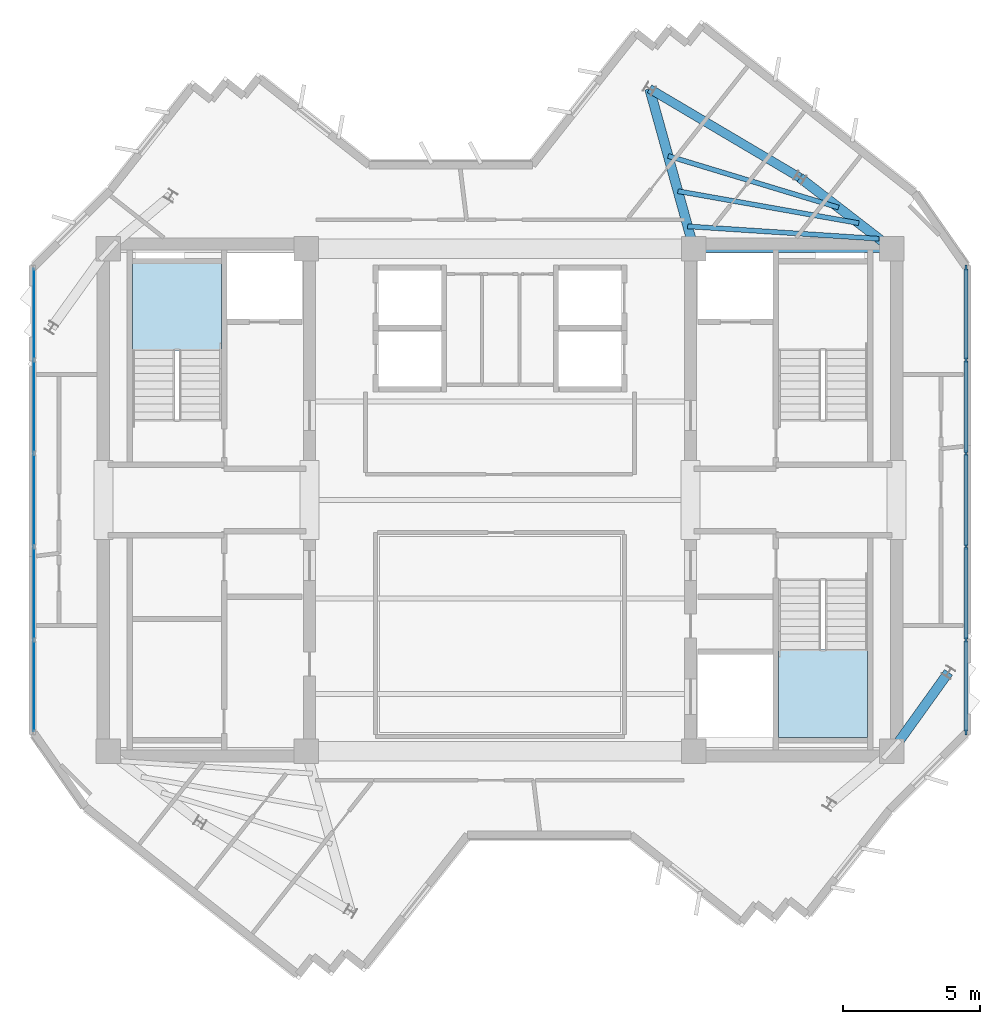
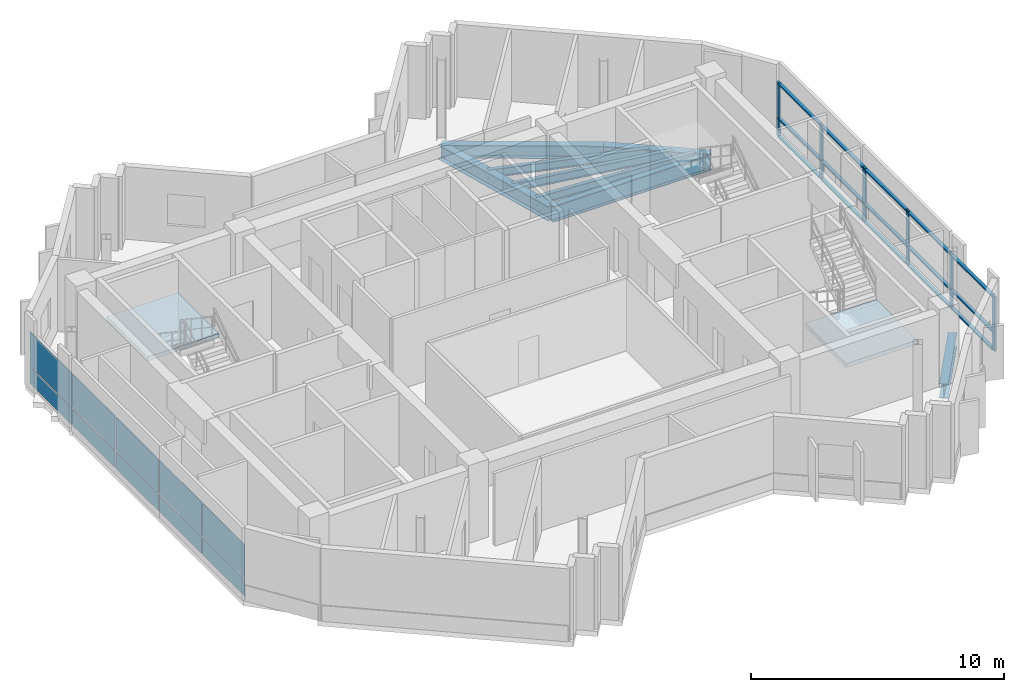
# One storey, part 3 of 10: 21 members, 10 plates, 8 beams, 2 slabs, 4 elements without a shape of their own.
"""IFC4 building model written with IfcOpenShell, lengths in metres."""

from ifc_helpers import new_model, si_unit, direction, frame, origin, origin_2d, place, context, subcontext, project, spatial, polyline, rectangle, i_section, outline, extrude, source, transform, mapped, material, layer, layer_set, material_profile, profile_set, type_object, element, aggregate, save


model = new_model("IFC4")

# Units and contexts
model_context = context("Model", 3, precision=1e-05, world=origin(), true_north=direction((0.0, 1.0)))
body_context = subcontext(model_context, "Body", "Model", "MODEL_VIEW")
ifc_project = project(units=[si_unit("LENGTHUNIT", "METRE"), si_unit("AREAUNIT", "SQUARE_METRE"), si_unit("VOLUMEUNIT", "CUBIC_METRE"), si_unit("PLANEANGLEUNIT", "RADIAN"), si_unit("MASSUNIT", "GRAM", prefix="KILO")], contexts=[model_context])

# Site, building, storey
site_placement = place(None, origin())
site = spatial("IfcSite", under=ifc_project, at=site_placement, CompositionType="ELEMENT")
building_placement = place(site_placement, origin())
building = spatial("IfcBuilding", under=site, at=building_placement, Name="Zahravan Cultural Tower", CompositionType="ELEMENT")
storey_placement = place(building_placement, frame((0.0, 0.0, 327.300048828125)))
storey = spatial("IfcBuildingStorey", under=building, at=storey_placement, Name="L79", CompositionType="ELEMENT", Elevation=327.300048828125)

# Beams
ifc_material_1 = material(Name="Steel ASTM A992 Grade 50", Category="steel")
ifc_material_profile_1 = material_profile(ifc_material_1, i_section(OverallWidth=0.26611328125, OverallDepth=0.780029296875, WebThickness=0.0166015625, FlangeThickness=0.030029296875, FilletRadius=0.01904296875, at=origin_2d()), Name="W30X148")
ifc_profile_set_1 = profile_set([ifc_material_profile_1], Name="Steel ASTM A992 Grade 50")
beam_type_1 = type_object("IfcBeamType", Name="BM-G-W30X148", PredefinedType="BEAM", material=ifc_profile_set_1)
shared_shape_1 = source(origin(), body_context, "Body", "SweptSolid", [
    extrude(i_section(OverallWidth=0.26611328125, OverallDepth=0.780029296875, WebThickness=0.0166015625, FlangeThickness=0.030029296875, FilletRadius=0.01904296875, at=origin_2d()), origin(), (0.0, 0.0, 1.0), 7.25),
])
beam_1_placement = place(storey_placement, frame((43.10009765625, 36.199951171875, -0.64013671875), z_axis=(1.0, 0.0, 0.0), x_axis=(0.0, 1.0, 0.0)))
element("IfcBeam", 1, at=beam_1_placement, inside=storey, type_object=beam_type_1, Name="L79 Beam BG-L79-05", PredefinedType="BEAM", context=body_context, shape_type="MappedRepresentation", body=[
    mapped(shared_shape_1, transform((0.0, 0.0, 0.0), x_axis=(1.0, 0.0, 0.0), y_axis=(0.0, 1.0, 0.0), z_axis=(0.0, 0.0, 1.0), scale=1.0)),
])
ifc_material_profile_2 = material_profile(ifc_material_1, i_section(OverallWidth=0.35498046875, OverallDepth=0.696044921875, WebThickness=0.015380859375, FlangeThickness=0.025146484375, FilletRadius=0.01806640625, at=origin_2d()), Name="W27X146")
ifc_profile_set_2 = profile_set([ifc_material_profile_2], Name="Steel ASTM A992 Grade 50")
beam_type_2 = type_object("IfcBeamType", Name="BM-G-W27X146", PredefinedType="BEAM", material=ifc_profile_set_2)
shared_shape_2 = source(origin(), body_context, "Body", "SweptSolid", [
    extrude(i_section(OverallWidth=0.35498046875, OverallDepth=0.696044921875, WebThickness=0.015380859375, FlangeThickness=0.025146484375, FilletRadius=0.01806640625, at=origin_2d()), origin(), (0.0, 0.0, 1.0), 4.25341796875),
])
beam_2_placement = place(storey_placement, frame((50.35009765625, 36.199951171875, -0.59814453125), z_axis=(-0.791433936253, 0.611254713313, 0.0), x_axis=(-0.611254713313, -0.791433936253, 0.0)))
element("IfcBeam", 2, at=beam_2_placement, inside=storey, type_object=beam_type_2, Name="L79 Beam BG-L79-11", PredefinedType="BEAM", context=body_context, shape_type="MappedRepresentation", body=[
    mapped(shared_shape_2, transform((0.0, 0.0, 0.0), x_axis=(1.0, 0.0, 0.0), y_axis=(0.0, 1.0, 0.0), z_axis=(0.0, 0.0, 1.0), scale=1.0)),
])
shared_shape_3 = source(origin(), body_context, "Body", "SweptSolid", [
    extrude(i_section(OverallWidth=0.35498046875, OverallDepth=0.696044921875, WebThickness=0.015380859375, FlangeThickness=0.025146484375, FilletRadius=0.01806640625, at=origin_2d()), origin(), (0.0, 0.0, 1.0), 6.07958984375),
])
beam_3_placement = place(storey_placement, frame((43.10009765625, 36.199951171875, -0.59814453125), z_axis=(-0.267324894686, 0.963606455292, 0.0), x_axis=(-0.963606455292, -0.267324894686, 0.0)))
element("IfcBeam", 3, at=beam_3_placement, inside=storey, type_object=beam_type_2, Name="L79 Beam BG-L79-12", PredefinedType="BEAM", context=body_context, shape_type="MappedRepresentation", body=[
    mapped(shared_shape_3, transform((0.0, 0.0, 0.0), x_axis=(1.0, 0.0, 0.0), y_axis=(0.0, 1.0, 0.0), z_axis=(0.0, 0.0, 1.0), scale=1.0)),
])
shared_shape_4 = source(origin(), body_context, "Body", "SweptSolid", [
    extrude(i_section(OverallWidth=0.35498046875, OverallDepth=0.696044921875, WebThickness=0.015380859375, FlangeThickness=0.025146484375, FilletRadius=0.01806640625, at=origin_2d()), origin(), (0.0, 0.0, 1.0), 3.5556640625),
])
beam_4_placement = place(storey_placement, frame((50.35009765625, 17.800048828125, -0.59814453125), z_axis=(0.58288028137, 0.812558045674, 0.0), x_axis=(-0.812558045674, 0.58288028137, 0.0)))
element("IfcBeam", 4, at=beam_4_placement, inside=storey, type_object=beam_type_2, Name="L79 Beam BG-L79-10", PredefinedType="BEAM", context=body_context, shape_type="MappedRepresentation", body=[
    mapped(shared_shape_4, transform((0.0, 0.0, 0.0), x_axis=(1.0, 0.0, 0.0), y_axis=(0.0, 1.0, 0.0), z_axis=(0.0, 0.0, 1.0), scale=1.0)),
])
ifc_material_profile_3 = material_profile(ifc_material_1, i_section(OverallWidth=0.326904296875, OverallDepth=0.6220703125, WebThickness=0.015380859375, FlangeThickness=0.0244140625, FilletRadius=0.014892578125, at=origin_2d()), Name="W24X131")
ifc_profile_set_3 = profile_set([ifc_material_profile_3], Name="Steel ASTM A992 Grade 50")
beam_type_3 = type_object("IfcBeamType", Name="BM-SP-W24X131", PredefinedType="SPANDREL", material=ifc_profile_set_3)
shared_shape_5 = source(origin(), body_context, "Body", "SweptSolid", [
    extrude(i_section(OverallWidth=0.326904296875, OverallDepth=0.6220703125, WebThickness=0.015380859375, FlangeThickness=0.0244140625, FilletRadius=0.014892578125, at=origin_2d()), origin(), (0.0, 0.0, 1.0), 6.400634765625),
])
beam_5_placement = place(storey_placement, frame((46.98388671875, 38.7998046875, -0.56103515625), z_axis=(-0.860706991833, 0.509100652337, 0.0), x_axis=(-0.509100652337, -0.860706991833, 0.0)))
element("IfcBeam", 5, at=beam_5_placement, inside=storey, type_object=beam_type_3, Name="L79 Beam SP-L79-17", PredefinedType="SPANDREL", context=body_context, shape_type="MappedRepresentation", body=[
    mapped(shared_shape_5, transform((0.0, 0.0, 0.0), x_axis=(1.0, 0.0, 0.0), y_axis=(0.0, 1.0, 0.0), z_axis=(0.0, 0.0, 1.0), scale=1.0)),
])
ifc_material_profile_4 = material_profile(ifc_material_1, i_section(OverallWidth=0.177978515625, OverallDepth=0.406005859375, WebThickness=0.0078125, FlangeThickness=0.0126953125, FilletRadius=0.011962890625, at=origin_2d()), Name="W16X40")
ifc_profile_set_4 = profile_set([ifc_material_profile_4], Name="Steel ASTM A992 Grade 50")
beam_type_4 = type_object("IfcBeamType", Name="BM-J-W16X40", PredefinedType="JOIST", material=ifc_profile_set_4)
shared_shape_6 = source(origin(), body_context, "Body", "SweptSolid", [
    extrude(i_section(OverallWidth=0.177978515625, OverallDepth=0.406005859375, WebThickness=0.0078125, FlangeThickness=0.0126953125, FilletRadius=0.011962890625, at=origin_2d()), origin(), (0.0, 0.0, 1.0), 7.02099609375),
])
beam_6_placement = place(storey_placement, frame((49.878662109375, 36.56396484375, -0.453125), z_axis=(-0.99788584579, 0.064991066863, 0.0), x_axis=(-0.064991066863, -0.99788584579, 0.0)))
element("IfcBeam", 6, at=beam_6_placement, inside=storey, type_object=beam_type_4, Name="L79 Beam BJ-L79-40", PredefinedType="JOIST", context=body_context, shape_type="MappedRepresentation", body=[
    mapped(shared_shape_6, transform((0.0, 0.0, 0.0), x_axis=(1.0, 0.0, 0.0), y_axis=(0.0, 1.0, 0.0), z_axis=(0.0, 0.0, 1.0), scale=1.0)),
])
shared_shape_7 = source(origin(), body_context, "Body", "SweptSolid", [
    extrude(i_section(OverallWidth=0.177978515625, OverallDepth=0.406005859375, WebThickness=0.0078125, FlangeThickness=0.0126953125, FilletRadius=0.011962890625, at=origin_2d()), origin(), (0.0, 0.0, 1.0), 6.726318359375),
])
beam_7_placement = place(storey_placement, frame((49.13818359375, 37.135986328125, -0.453125), z_axis=(-0.98467447748, 0.17440233198, 0.0), x_axis=(-0.17440233198, -0.98467447748, 0.0)))
element("IfcBeam", 7, at=beam_7_placement, inside=storey, type_object=beam_type_4, Name="L79 Beam BJ-L79-42", PredefinedType="JOIST", context=body_context, shape_type="MappedRepresentation", body=[
    mapped(shared_shape_7, transform((0.0, 0.0, 0.0), x_axis=(1.0, 0.0, 0.0), y_axis=(0.0, 1.0, 0.0), z_axis=(0.0, 0.0, 1.0), scale=1.0)),
])
shared_shape_8 = source(origin(), body_context, "Body", "SweptSolid", [
    extrude(i_section(OverallWidth=0.177978515625, OverallDepth=0.406005859375, WebThickness=0.0078125, FlangeThickness=0.0126953125, FilletRadius=0.011962890625, at=origin_2d()), origin(), (0.0, 0.0, 1.0), 6.520263671875),
])
beam_8_placement = place(storey_placement, frame((48.397705078125, 37.707763671875, -0.453125), z_axis=(-0.957060297679, 0.289888921151, 0.0), x_axis=(-0.289888921151, -0.957060297679, 0.0)))
element("IfcBeam", 8, at=beam_8_placement, inside=storey, type_object=beam_type_4, Name="L79 Beam BJ-L79-44", PredefinedType="JOIST", context=body_context, shape_type="MappedRepresentation", body=[
    mapped(shared_shape_8, transform((0.0, 0.0, 0.0), x_axis=(1.0, 0.0, 0.0), y_axis=(0.0, 1.0, 0.0), z_axis=(0.0, 0.0, 1.0), scale=1.0)),
])

# Curtain wall, members
ifc_material_2 = material(Name="Anodised bronze-aluminium mullion", Category="aluminium")
ifc_layer_1 = layer(ifc_material_2, 0.199951171875)
ifc_layer_set_1 = layer_set([ifc_layer_1], Name="Anodised bronze-aluminium mullion")
curtain_wall_type_1 = type_object("IfcCurtainWallType", Name="CW-SYS-2", PredefinedType="USERDEFINED", material=ifc_layer_set_1)
curtain_wall_1_placement = place(storey_placement, origin())
curtain_wall_1 = element("IfcCurtainWall", 9, at=curtain_wall_1_placement, inside=storey, type_object=curtain_wall_type_1, Name="L79 Recessed Curtain Wall CW-2.1", ObjectType="RECESSED GLAZING", PredefinedType="USERDEFINED")
ifc_material_profile_5 = material_profile(ifc_material_2, rectangle(XDim=0.074951171875, YDim=0.199951171875, at=origin_2d()), Name="AL-M75X200")
ifc_profile_set_5 = profile_set([ifc_material_profile_5], Name="Anodised bronze-aluminium mullion")
member_type_1 = type_object("IfcMemberType", Name="CWM-CW-2", PredefinedType="MULLION", material=ifc_profile_set_5)
shared_shape_9 = source(origin(), body_context, "Body", "SweptSolid", [
    extrude(rectangle(XDim=0.074951171875, YDim=0.199951171875, at=origin_2d()), origin(), (0.0, 0.0, 1.0), 2.619873046875),
])
member_1_placement = place(storey_placement, frame((53.06005859375, 35.50439453125, 0.0), z_axis=(0.0, 0.0, 1.0), x_axis=(1.0, 0.0, 0.0)))
member_1 = element("IfcMember", 10, at=member_1_placement, type_object=member_type_1, Name="CW-2 mullion 1", PredefinedType="MULLION", context=body_context, shape_type="MappedRepresentation", body=[
    mapped(shared_shape_9, transform((0.0, 0.0, 0.0), x_axis=(1.0, 0.0, 0.0), y_axis=(0.0, 1.0, 0.0), z_axis=(0.0, 0.0, 1.0), scale=1.0)),
])
member_2_placement = place(storey_placement, frame((53.06005859375, 32.125244140625, 0.0), z_axis=(0.0, 0.0, 1.0), x_axis=(1.0, 0.0, 0.0)))
member_2 = element("IfcMember", 11, at=member_2_placement, type_object=member_type_1, Name="CW-2 mullion 2", PredefinedType="MULLION", context=body_context, shape_type="MappedRepresentation", body=[
    mapped(shared_shape_9, transform((0.0, 0.0, 0.0), x_axis=(1.0, 0.0, 0.0), y_axis=(0.0, 1.0, 0.0), z_axis=(0.0, 0.0, 1.0), scale=1.0)),
])
member_3_placement = place(storey_placement, frame((53.06005859375, 28.70849609375, 0.0), z_axis=(0.0, 0.0, 1.0), x_axis=(1.0, 0.0, 0.0)))
member_3 = element("IfcMember", 12, at=member_3_placement, type_object=member_type_1, Name="CW-2 mullion 3", PredefinedType="MULLION", context=body_context, shape_type="MappedRepresentation", body=[
    mapped(shared_shape_9, transform((0.0, 0.0, 0.0), x_axis=(1.0, 0.0, 0.0), y_axis=(0.0, 1.0, 0.0), z_axis=(0.0, 0.0, 1.0), scale=1.0)),
])
member_4_placement = place(storey_placement, frame((53.06005859375, 25.29150390625, 0.0), z_axis=(0.0, 0.0, 1.0), x_axis=(1.0, 0.0, 0.0)))
member_4 = element("IfcMember", 13, at=member_4_placement, type_object=member_type_1, Name="CW-2 mullion 4", PredefinedType="MULLION", context=body_context, shape_type="MappedRepresentation", body=[
    mapped(shared_shape_9, transform((0.0, 0.0, 0.0), x_axis=(1.0, 0.0, 0.0), y_axis=(0.0, 1.0, 0.0), z_axis=(0.0, 0.0, 1.0), scale=1.0)),
])
member_5_placement = place(storey_placement, frame((53.06005859375, 21.874755859375, 0.0), z_axis=(0.0, 0.0, 1.0), x_axis=(1.0, 0.0, 0.0)))
member_5 = element("IfcMember", 14, at=member_5_placement, type_object=member_type_1, Name="CW-2 mullion 5", PredefinedType="MULLION", context=body_context, shape_type="MappedRepresentation", body=[
    mapped(shared_shape_9, transform((0.0, 0.0, 0.0), x_axis=(1.0, 0.0, 0.0), y_axis=(0.0, 1.0, 0.0), z_axis=(0.0, 0.0, 1.0), scale=1.0)),
])
member_6_placement = place(storey_placement, frame((53.06005859375, 18.49560546875, 0.0), z_axis=(0.0, 0.0, 1.0), x_axis=(1.0, 0.0, 0.0)))
member_6 = element("IfcMember", 15, at=member_6_placement, type_object=member_type_1, Name="CW-2 mullion 6", PredefinedType="MULLION", context=body_context, shape_type="MappedRepresentation", body=[
    mapped(shared_shape_9, transform((0.0, 0.0, 0.0), x_axis=(1.0, 0.0, 0.0), y_axis=(0.0, 1.0, 0.0), z_axis=(0.0, 0.0, 1.0), scale=1.0)),
])
ifc_material_profile_6 = material_profile(ifc_material_2, rectangle(XDim=0.14990234375, YDim=0.074951171875, at=origin_2d()), Name="AL-T75X150")
ifc_profile_set_6 = profile_set([ifc_material_profile_6], Name="Anodised bronze-aluminium mullion")
member_type_2 = type_object("IfcMemberType", Name="CWT-CW-2", PredefinedType="USERDEFINED", material=ifc_profile_set_6)
shared_shape_10 = source(origin(), body_context, "Body", "SweptSolid", [
    extrude(rectangle(XDim=0.14990234375, YDim=0.074951171875, at=origin_2d()), origin(), (0.0, 0.0, 1.0), 3.304443359375),
])
member_7_placement = place(storey_placement, frame((53.06005859375, 35.467041015625, 0.037353515625), z_axis=(0.0, -1.0, 0.0), x_axis=(1.0, 0.0, 0.0)))
member_7 = element("IfcMember", 16, at=member_7_placement, type_object=member_type_2, Name="CW-2 transom 1.1", ObjectType="TRANSOM", PredefinedType="USERDEFINED", context=body_context, shape_type="MappedRepresentation", body=[
    mapped(shared_shape_10, transform((0.0, 0.0, 0.0), x_axis=(1.0, 0.0, 0.0), y_axis=(0.0, 1.0, 0.0), z_axis=(0.0, 0.0, 1.0), scale=1.0)),
])
member_8_placement = place(storey_placement, frame((53.06005859375, 35.467041015625, 0.89990234375), z_axis=(0.0, -1.0, 0.0), x_axis=(1.0, 0.0, 0.0)))
member_8 = element("IfcMember", 17, at=member_8_placement, type_object=member_type_2, Name="CW-2 transom 1.2", ObjectType="TRANSOM", PredefinedType="USERDEFINED", context=body_context, shape_type="MappedRepresentation", body=[
    mapped(shared_shape_10, transform((0.0, 0.0, 0.0), x_axis=(1.0, 0.0, 0.0), y_axis=(0.0, 1.0, 0.0), z_axis=(0.0, 0.0, 1.0), scale=1.0)),
])
member_9_placement = place(storey_placement, frame((53.06005859375, 35.467041015625, 2.58251953125), z_axis=(0.0, -1.0, 0.0), x_axis=(1.0, 0.0, 0.0)))
member_9 = element("IfcMember", 18, at=member_9_placement, type_object=member_type_2, Name="CW-2 transom 1.3", ObjectType="TRANSOM", PredefinedType="USERDEFINED", context=body_context, shape_type="MappedRepresentation", body=[
    mapped(shared_shape_10, transform((0.0, 0.0, 0.0), x_axis=(1.0, 0.0, 0.0), y_axis=(0.0, 1.0, 0.0), z_axis=(0.0, 0.0, 1.0), scale=1.0)),
])
member_10_placement = place(storey_placement, frame((53.06005859375, 21.83740234375, 0.037353515625), z_axis=(0.0, -1.0, 0.0), x_axis=(1.0, 0.0, 0.0)))
member_10 = element("IfcMember", 19, at=member_10_placement, type_object=member_type_2, Name="CW-2 transom 5.1", ObjectType="TRANSOM", PredefinedType="USERDEFINED", context=body_context, shape_type="MappedRepresentation", body=[
    mapped(shared_shape_10, transform((0.0, 0.0, 0.0), x_axis=(1.0, 0.0, 0.0), y_axis=(0.0, 1.0, 0.0), z_axis=(0.0, 0.0, 1.0), scale=1.0)),
])
member_11_placement = place(storey_placement, frame((53.06005859375, 21.83740234375, 0.89990234375), z_axis=(0.0, -1.0, 0.0), x_axis=(1.0, 0.0, 0.0)))
member_11 = element("IfcMember", 20, at=member_11_placement, type_object=member_type_2, Name="CW-2 transom 5.2", ObjectType="TRANSOM", PredefinedType="USERDEFINED", context=body_context, shape_type="MappedRepresentation", body=[
    mapped(shared_shape_10, transform((0.0, 0.0, 0.0), x_axis=(1.0, 0.0, 0.0), y_axis=(0.0, 1.0, 0.0), z_axis=(0.0, 0.0, 1.0), scale=1.0)),
])
member_12_placement = place(storey_placement, frame((53.06005859375, 21.83740234375, 2.58251953125), z_axis=(0.0, -1.0, 0.0), x_axis=(1.0, 0.0, 0.0)))
member_12 = element("IfcMember", 21, at=member_12_placement, type_object=member_type_2, Name="CW-2 transom 5.3", ObjectType="TRANSOM", PredefinedType="USERDEFINED", context=body_context, shape_type="MappedRepresentation", body=[
    mapped(shared_shape_10, transform((0.0, 0.0, 0.0), x_axis=(1.0, 0.0, 0.0), y_axis=(0.0, 1.0, 0.0), z_axis=(0.0, 0.0, 1.0), scale=1.0)),
])
shared_shape_11 = source(origin(), body_context, "Body", "SweptSolid", [
    extrude(rectangle(XDim=0.14990234375, YDim=0.074951171875, at=origin_2d()), origin(), (0.0, 0.0, 1.0), 3.341796875),
])
member_13_placement = place(storey_placement, frame((53.06005859375, 32.087646484375, 0.037353515625), z_axis=(0.0, -1.0, 0.0), x_axis=(1.0, 0.0, 0.0)))
member_13 = element("IfcMember", 22, at=member_13_placement, type_object=member_type_2, Name="CW-2 transom 2.1", ObjectType="TRANSOM", PredefinedType="USERDEFINED", context=body_context, shape_type="MappedRepresentation", body=[
    mapped(shared_shape_11, transform((0.0, 0.0, 0.0), x_axis=(1.0, 0.0, 0.0), y_axis=(0.0, 1.0, 0.0), z_axis=(0.0, 0.0, 1.0), scale=1.0)),
])
member_14_placement = place(storey_placement, frame((53.06005859375, 32.087646484375, 0.89990234375), z_axis=(0.0, -1.0, 0.0), x_axis=(1.0, 0.0, 0.0)))
member_14 = element("IfcMember", 23, at=member_14_placement, type_object=member_type_2, Name="CW-2 transom 2.2", ObjectType="TRANSOM", PredefinedType="USERDEFINED", context=body_context, shape_type="MappedRepresentation", body=[
    mapped(shared_shape_11, transform((0.0, 0.0, 0.0), x_axis=(1.0, 0.0, 0.0), y_axis=(0.0, 1.0, 0.0), z_axis=(0.0, 0.0, 1.0), scale=1.0)),
])
member_15_placement = place(storey_placement, frame((53.06005859375, 32.087646484375, 2.58251953125), z_axis=(0.0, -1.0, 0.0), x_axis=(1.0, 0.0, 0.0)))
member_15 = element("IfcMember", 24, at=member_15_placement, type_object=member_type_2, Name="CW-2 transom 2.3", ObjectType="TRANSOM", PredefinedType="USERDEFINED", context=body_context, shape_type="MappedRepresentation", body=[
    mapped(shared_shape_11, transform((0.0, 0.0, 0.0), x_axis=(1.0, 0.0, 0.0), y_axis=(0.0, 1.0, 0.0), z_axis=(0.0, 0.0, 1.0), scale=1.0)),
])
member_16_placement = place(storey_placement, frame((53.06005859375, 28.6708984375, 0.037353515625), z_axis=(0.0, -1.0, 0.0), x_axis=(1.0, 0.0, 0.0)))
member_16 = element("IfcMember", 25, at=member_16_placement, type_object=member_type_2, Name="CW-2 transom 3.1", ObjectType="TRANSOM", PredefinedType="USERDEFINED", context=body_context, shape_type="MappedRepresentation", body=[
    mapped(shared_shape_11, transform((0.0, 0.0, 0.0), x_axis=(1.0, 0.0, 0.0), y_axis=(0.0, 1.0, 0.0), z_axis=(0.0, 0.0, 1.0), scale=1.0)),
])
member_17_placement = place(storey_placement, frame((53.06005859375, 28.6708984375, 0.89990234375), z_axis=(0.0, -1.0, 0.0), x_axis=(1.0, 0.0, 0.0)))
member_17 = element("IfcMember", 26, at=member_17_placement, type_object=member_type_2, Name="CW-2 transom 3.2", ObjectType="TRANSOM", PredefinedType="USERDEFINED", context=body_context, shape_type="MappedRepresentation", body=[
    mapped(shared_shape_11, transform((0.0, 0.0, 0.0), x_axis=(1.0, 0.0, 0.0), y_axis=(0.0, 1.0, 0.0), z_axis=(0.0, 0.0, 1.0), scale=1.0)),
])
member_18_placement = place(storey_placement, frame((53.06005859375, 28.6708984375, 2.58251953125), z_axis=(0.0, -1.0, 0.0), x_axis=(1.0, 0.0, 0.0)))
member_18 = element("IfcMember", 27, at=member_18_placement, type_object=member_type_2, Name="CW-2 transom 3.3", ObjectType="TRANSOM", PredefinedType="USERDEFINED", context=body_context, shape_type="MappedRepresentation", body=[
    mapped(shared_shape_11, transform((0.0, 0.0, 0.0), x_axis=(1.0, 0.0, 0.0), y_axis=(0.0, 1.0, 0.0), z_axis=(0.0, 0.0, 1.0), scale=1.0)),
])
member_19_placement = place(storey_placement, frame((53.06005859375, 25.254150390625, 0.037353515625), z_axis=(0.0, -1.0, 0.0), x_axis=(1.0, 0.0, 0.0)))
member_19 = element("IfcMember", 28, at=member_19_placement, type_object=member_type_2, Name="CW-2 transom 4.1", ObjectType="TRANSOM", PredefinedType="USERDEFINED", context=body_context, shape_type="MappedRepresentation", body=[
    mapped(shared_shape_11, transform((0.0, 0.0, 0.0), x_axis=(1.0, 0.0, 0.0), y_axis=(0.0, 1.0, 0.0), z_axis=(0.0, 0.0, 1.0), scale=1.0)),
])
member_20_placement = place(storey_placement, frame((53.06005859375, 25.254150390625, 0.89990234375), z_axis=(0.0, -1.0, 0.0), x_axis=(1.0, 0.0, 0.0)))
member_20 = element("IfcMember", 29, at=member_20_placement, type_object=member_type_2, Name="CW-2 transom 4.2", ObjectType="TRANSOM", PredefinedType="USERDEFINED", context=body_context, shape_type="MappedRepresentation", body=[
    mapped(shared_shape_11, transform((0.0, 0.0, 0.0), x_axis=(1.0, 0.0, 0.0), y_axis=(0.0, 1.0, 0.0), z_axis=(0.0, 0.0, 1.0), scale=1.0)),
])
member_21_placement = place(storey_placement, frame((53.06005859375, 25.254150390625, 2.58251953125), z_axis=(0.0, -1.0, 0.0), x_axis=(1.0, 0.0, 0.0)))
member_21 = element("IfcMember", 30, at=member_21_placement, type_object=member_type_2, Name="CW-2 transom 4.3", ObjectType="TRANSOM", PredefinedType="USERDEFINED", context=body_context, shape_type="MappedRepresentation", body=[
    mapped(shared_shape_11, transform((0.0, 0.0, 0.0), x_axis=(1.0, 0.0, 0.0), y_axis=(0.0, 1.0, 0.0), z_axis=(0.0, 0.0, 1.0), scale=1.0)),
])
aggregate(curtain_wall_1, [member_1, member_2, member_3, member_4, member_5, member_6, member_7, member_8, member_9, member_13, member_14, member_15, member_16, member_17, member_18, member_19, member_20, member_21, member_10, member_11, member_12])

# Stair, slab
ifc_material_3 = material(Name="Concrete C45/55", Category="concrete")
stair_type = type_object("IfcStairType", Name="STR-DL-1550-375", PredefinedType="HALF_TURN_STAIR", material=ifc_material_3)
stair_1_placement = place(storey_placement, origin())
stair_1 = element("IfcStair", 31, at=stair_1_placement, inside=storey, type_object=stair_type, Name="L79 West Core North Exit Stair ST-W1", PredefinedType="HALF_TURN_STAIR")
ifc_layer_2 = layer(ifc_material_3, 0.199951171875)
ifc_layer_set_2 = layer_set([ifc_layer_2], Name="Concrete C45/55")
slab_type = type_object("IfcSlabType", Name="SL-STAIR-LND200", PredefinedType="LANDING", material=ifc_layer_set_2)
slab_1_placement = place(storey_placement, frame((0.0, 0.0, 1.675048828125)))
slab_1 = element("IfcSlab", 32, at=slab_1_placement, type_object=slab_type, Name="ST-W1 landing 1", PredefinedType="LANDING", context=body_context, shape_type="SweptSolid", body=[
    extrude(outline(polyline([(25.800048828125, 32.469970703125), (25.800048828125, 35.699951171875), (22.550048828125, 35.699951171875), (22.550048828125, 32.469970703125), (25.800048828125, 32.469970703125)])), origin(), (0.0, 0.0, 1.0), 0.199951171875),
])
aggregate(stair_1, [slab_1])

stair_2_placement = place(storey_placement, origin())
stair_2 = element("IfcStair", 33, at=stair_2_placement, inside=storey, type_object=stair_type, Name="L79 East Core South Exit Stair ST-E2", PredefinedType="HALF_TURN_STAIR")
slab_2_placement = place(storey_placement, frame((0.0, 0.0, 1.675048828125)))
slab_2 = element("IfcSlab", 34, at=slab_2_placement, type_object=slab_type, Name="ST-E2 landing 1", PredefinedType="LANDING", context=body_context, shape_type="SweptSolid", body=[
    extrude(outline(polyline([(46.199951171875, 21.530029296875), (46.199951171875, 18.300048828125), (49.449951171875, 18.300048828125), (49.449951171875, 21.530029296875), (46.199951171875, 21.530029296875)])), origin(), (0.0, 0.0, 1.0), 0.199951171875),
])
aggregate(stair_2, [slab_2])

# Curtain wall, plates
ifc_layer_3 = layer(ifc_material_2, 0.179931640625)
ifc_layer_set_3 = layer_set([ifc_layer_3], Name="Anodised bronze-aluminium mullion")
curtain_wall_type_2 = type_object("IfcCurtainWallType", Name="CW-SYS-3", PredefinedType="USERDEFINED", material=ifc_layer_set_3)
curtain_wall_2_placement = place(storey_placement, origin())
curtain_wall_2 = element("IfcCurtainWall", 35, at=curtain_wall_2_placement, inside=storey, type_object=curtain_wall_type_2, Name="L79 Recessed Curtain Wall CW-3.2", ObjectType="RECESSED GLAZING", PredefinedType="USERDEFINED")
ifc_material_4 = material(Name="Low-E solar-control double glazing", Category="glass")
ifc_layer_4 = layer(ifc_material_4, 0.028076171875)
ifc_layer_set_4 = layer_set([ifc_layer_4], Name="Low-E solar-control double glazing")
plate_type = type_object("IfcPlateType", Name="CWP-CW-3", PredefinedType="CURTAIN_PANEL", material=ifc_layer_set_4)
shared_shape_12 = source(origin(), body_context, "Body", "SweptSolid", [
    extrude(rectangle(XDim=3.311767578125, YDim=0.028076171875, at=origin_2d()), origin(), (0.0, 0.0, 1.0), 0.794921875),
])
plate_1_placement = place(storey_placement, frame((18.93994140625, 20.183837890625, 0.070068359375), z_axis=(0.0, 0.0, 1.0), x_axis=(0.0, 1.0, 0.0)))
plate_1 = element("IfcPlate", 36, at=plate_1_placement, type_object=plate_type, Name="CW-3 panel 1.1", PredefinedType="CURTAIN_PANEL", context=body_context, shape_type="MappedRepresentation", body=[
    mapped(shared_shape_12, transform((0.0, 0.0, 0.0), x_axis=(1.0, 0.0, 0.0), y_axis=(0.0, 1.0, 0.0), z_axis=(0.0, 0.0, 1.0), scale=1.0)),
])
plate_2_placement = place(storey_placement, frame((18.93994140625, 33.816162109375, 0.070068359375), z_axis=(0.0, 0.0, 1.0), x_axis=(0.0, 1.0, 0.0)))
plate_2 = element("IfcPlate", 37, at=plate_2_placement, type_object=plate_type, Name="CW-3 panel 5.1", PredefinedType="CURTAIN_PANEL", context=body_context, shape_type="MappedRepresentation", body=[
    mapped(shared_shape_12, transform((0.0, 0.0, 0.0), x_axis=(1.0, 0.0, 0.0), y_axis=(0.0, 1.0, 0.0), z_axis=(0.0, 0.0, 1.0), scale=1.0)),
])
shared_shape_13 = source(origin(), body_context, "Body", "SweptSolid", [
    extrude(rectangle(XDim=3.311767578125, YDim=0.028076171875, at=origin_2d()), origin(), (0.0, 0.0, 1.0), 1.614990234375),
])
plate_3_placement = place(storey_placement, frame((18.93994140625, 20.183837890625, 0.93505859375), z_axis=(0.0, 0.0, 1.0), x_axis=(0.0, 1.0, 0.0)))
plate_3 = element("IfcPlate", 38, at=plate_3_placement, type_object=plate_type, Name="CW-3 panel 1.2", PredefinedType="CURTAIN_PANEL", context=body_context, shape_type="MappedRepresentation", body=[
    mapped(shared_shape_13, transform((0.0, 0.0, 0.0), x_axis=(1.0, 0.0, 0.0), y_axis=(0.0, 1.0, 0.0), z_axis=(0.0, 0.0, 1.0), scale=1.0)),
])
plate_4_placement = place(storey_placement, frame((18.93994140625, 33.816162109375, 0.93505859375), z_axis=(0.0, 0.0, 1.0), x_axis=(0.0, 1.0, 0.0)))
plate_4 = element("IfcPlate", 39, at=plate_4_placement, type_object=plate_type, Name="CW-3 panel 5.2", PredefinedType="CURTAIN_PANEL", context=body_context, shape_type="MappedRepresentation", body=[
    mapped(shared_shape_13, transform((0.0, 0.0, 0.0), x_axis=(1.0, 0.0, 0.0), y_axis=(0.0, 1.0, 0.0), z_axis=(0.0, 0.0, 1.0), scale=1.0)),
])
shared_shape_14 = source(origin(), body_context, "Body", "SweptSolid", [
    extrude(rectangle(XDim=3.3466796875, YDim=0.028076171875, at=origin_2d()), origin(), (0.0, 0.0, 1.0), 0.794921875),
])
plate_5_placement = place(storey_placement, frame((18.93994140625, 23.583251953125, 0.070068359375), z_axis=(0.0, 0.0, 1.0), x_axis=(0.0, 1.0, 0.0)))
plate_5 = element("IfcPlate", 40, at=plate_5_placement, type_object=plate_type, Name="CW-3 panel 2.1", PredefinedType="CURTAIN_PANEL", context=body_context, shape_type="MappedRepresentation", body=[
    mapped(shared_shape_14, transform((0.0, 0.0, 0.0), x_axis=(1.0, 0.0, 0.0), y_axis=(0.0, 1.0, 0.0), z_axis=(0.0, 0.0, 1.0), scale=1.0)),
])
plate_6_placement = place(storey_placement, frame((18.93994140625, 27.0, 0.070068359375), z_axis=(0.0, 0.0, 1.0), x_axis=(0.0, 1.0, 0.0)))
plate_6 = element("IfcPlate", 41, at=plate_6_placement, type_object=plate_type, Name="CW-3 panel 3.1", PredefinedType="CURTAIN_PANEL", context=body_context, shape_type="MappedRepresentation", body=[
    mapped(shared_shape_14, transform((0.0, 0.0, 0.0), x_axis=(1.0, 0.0, 0.0), y_axis=(0.0, 1.0, 0.0), z_axis=(0.0, 0.0, 1.0), scale=1.0)),
])
plate_7_placement = place(storey_placement, frame((18.93994140625, 30.416748046875, 0.070068359375), z_axis=(0.0, 0.0, 1.0), x_axis=(0.0, 1.0, 0.0)))
plate_7 = element("IfcPlate", 42, at=plate_7_placement, type_object=plate_type, Name="CW-3 panel 4.1", PredefinedType="CURTAIN_PANEL", context=body_context, shape_type="MappedRepresentation", body=[
    mapped(shared_shape_14, transform((0.0, 0.0, 0.0), x_axis=(1.0, 0.0, 0.0), y_axis=(0.0, 1.0, 0.0), z_axis=(0.0, 0.0, 1.0), scale=1.0)),
])
shared_shape_15 = source(origin(), body_context, "Body", "SweptSolid", [
    extrude(rectangle(XDim=3.3466796875, YDim=0.028076171875, at=origin_2d()), origin(), (0.0, 0.0, 1.0), 1.614990234375),
])
plate_8_placement = place(storey_placement, frame((18.93994140625, 23.583251953125, 0.93505859375), z_axis=(0.0, 0.0, 1.0), x_axis=(0.0, 1.0, 0.0)))
plate_8 = element("IfcPlate", 43, at=plate_8_placement, type_object=plate_type, Name="CW-3 panel 2.2", PredefinedType="CURTAIN_PANEL", context=body_context, shape_type="MappedRepresentation", body=[
    mapped(shared_shape_15, transform((0.0, 0.0, 0.0), x_axis=(1.0, 0.0, 0.0), y_axis=(0.0, 1.0, 0.0), z_axis=(0.0, 0.0, 1.0), scale=1.0)),
])
plate_9_placement = place(storey_placement, frame((18.93994140625, 27.0, 0.93505859375), z_axis=(0.0, 0.0, 1.0), x_axis=(0.0, 1.0, 0.0)))
plate_9 = element("IfcPlate", 44, at=plate_9_placement, type_object=plate_type, Name="CW-3 panel 3.2", PredefinedType="CURTAIN_PANEL", context=body_context, shape_type="MappedRepresentation", body=[
    mapped(shared_shape_15, transform((0.0, 0.0, 0.0), x_axis=(1.0, 0.0, 0.0), y_axis=(0.0, 1.0, 0.0), z_axis=(0.0, 0.0, 1.0), scale=1.0)),
])
plate_10_placement = place(storey_placement, frame((18.93994140625, 30.416748046875, 0.93505859375), z_axis=(0.0, 0.0, 1.0), x_axis=(0.0, 1.0, 0.0)))
plate_10 = element("IfcPlate", 45, at=plate_10_placement, type_object=plate_type, Name="CW-3 panel 4.2", PredefinedType="CURTAIN_PANEL", context=body_context, shape_type="MappedRepresentation", body=[
    mapped(shared_shape_15, transform((0.0, 0.0, 0.0), x_axis=(1.0, 0.0, 0.0), y_axis=(0.0, 1.0, 0.0), z_axis=(0.0, 0.0, 1.0), scale=1.0)),
])
aggregate(curtain_wall_2, [plate_1, plate_3, plate_5, plate_8, plate_6, plate_9, plate_7, plate_10, plate_2, plate_4])

save(model, "model.ifc")
